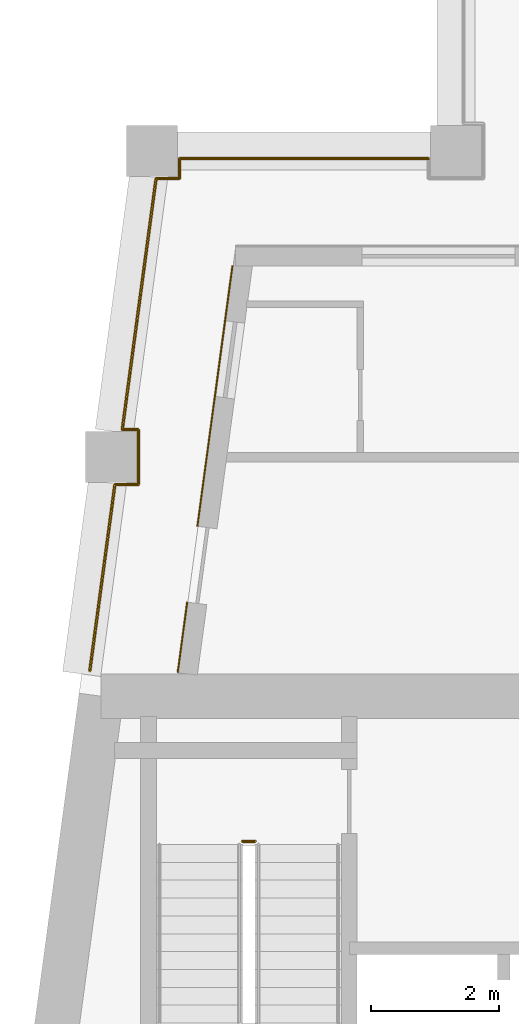
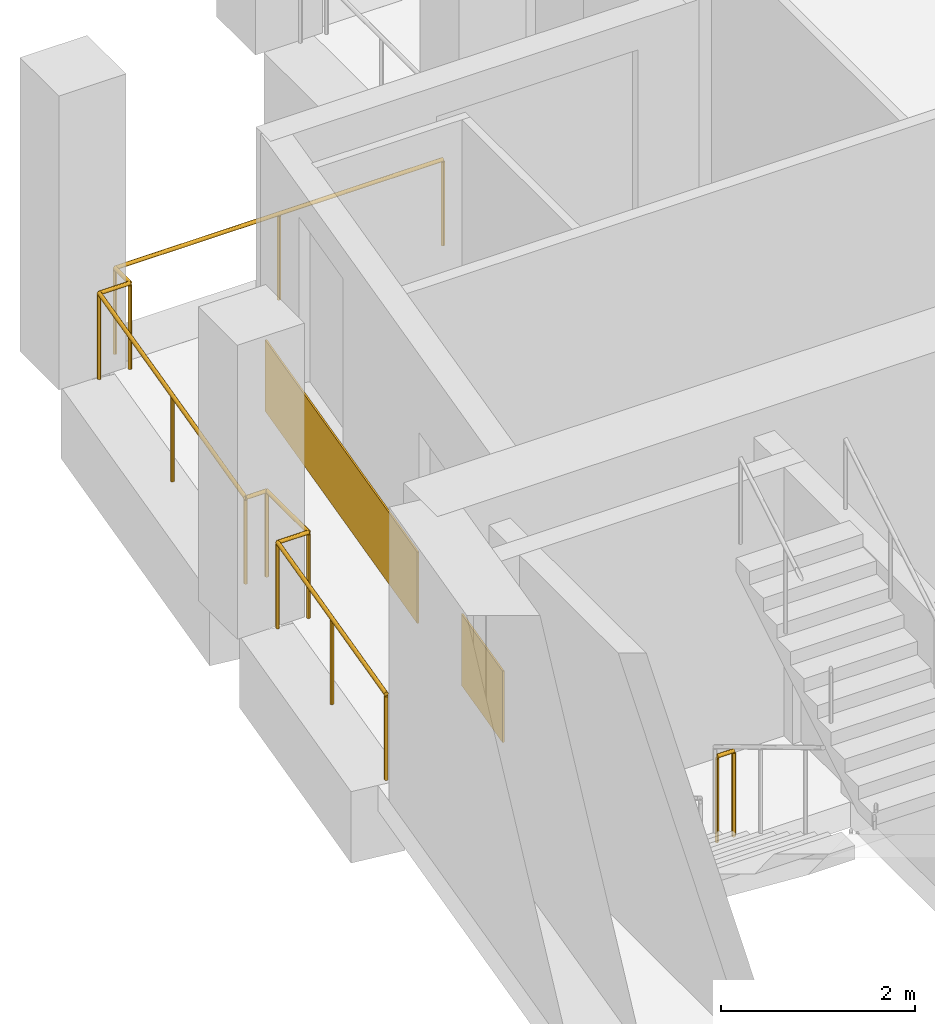
# One storey, part 9 of 12: 2 coverings, 2 railings.
"""IFC4 building model written with IfcOpenShell, lengths in metres."""

from ifc_helpers import new_model, si_unit, direction, frame, origin, origin_2d, place, context, subcontext, project, spatial, rectangle, circle, extrude, material, layer, layer_set, type_object, element, save


model = new_model("IFC4")

# Units and contexts
model_context = context("Model", 3, precision=1e-05, world=origin(), true_north=direction((0.0, 1.0)))
body_context = subcontext(model_context, "Body", "Model", "MODEL_VIEW")
ifc_project = project(units=[si_unit("LENGTHUNIT", "METRE"), si_unit("AREAUNIT", "SQUARE_METRE"), si_unit("VOLUMEUNIT", "CUBIC_METRE"), si_unit("PLANEANGLEUNIT", "RADIAN"), si_unit("MASSUNIT", "GRAM", prefix="KILO")], contexts=[model_context])

# Site, building, storey
site_placement = place(None, origin())
site = spatial("IfcSite", under=ifc_project, at=site_placement, CompositionType="ELEMENT")
building_placement = place(site_placement, origin())
building = spatial("IfcBuilding", under=site, at=building_placement, Name="Candeia Pilgrim Tower and Theatre", CompositionType="ELEMENT")
storey_placement = place(building_placement, frame((0.0, 0.0, 281.199951171875)))
storey = spatial("IfcBuildingStorey", under=building, at=storey_placement, Name="L68", CompositionType="ELEMENT", Elevation=281.199951171875)

# Railing
ifc_material_1 = material(Name="Stainless steel balustrade", Category="steel")
railing_type_1 = type_object("IfcRailingType", Name="G1 loggia guard 1100", PredefinedType="GUARDRAIL", material=ifc_material_1)
railing_1_placement = place(storey_placement, frame((88.758544921875, 132.449951171875, 0.0)))
element("IfcRailing", 1, at=railing_1_placement, inside=storey, type_object=railing_type_1, Name="Guard L68.5", PredefinedType="GUARDRAIL", context=body_context, shape_type="SweptSolid", body=[
    extrude(circle(Radius=0.02392578125, at=origin_2d()), frame((0.0, 0.0, 1.076171875), z_axis=(0.133401056725, 0.991062136329, 0.0), x_axis=(-0.991062136329, 0.133401056725, 0.0)), (0.0, 0.0, 1.0), 2.946533203125),
    extrude(circle(Radius=0.02392578125, at=origin_2d()), frame((0.39306640625, 2.920166015625, 1.076171875), z_axis=(1.0, 0.0, 0.0), x_axis=(0.0, 1.0, 0.0)), (0.0, 0.0, 1.0), 0.366943359375),
    extrude(circle(Radius=0.02392578125, at=origin_2d()), frame((0.760009765625, 2.920166015625, 1.076171875), z_axis=(0.0, 1.0, 0.0), x_axis=(-1.0, 0.0, 0.0)), (0.0, 0.0, 1.0), 0.85986328125),
    extrude(circle(Radius=0.02392578125, at=origin_2d()), frame((0.760009765625, 3.780029296875, 1.076171875), z_axis=(-1.0, 0.0, 0.0), x_axis=(0.0, -1.0, 0.0)), (0.0, 0.0, 1.0), 0.251220703125),
    extrude(circle(Radius=0.02392578125, at=origin_2d()), frame((0.5087890625, 3.780029296875, 1.076171875), z_axis=(0.133446811067, 0.99105597653, 0.0), x_axis=(-0.99105597653, 0.133446811067, 0.0)), (0.0, 0.0, 1.0), 3.9755859375),
    extrude(circle(Radius=0.02392578125, at=origin_2d()), frame((1.039306640625, 7.719970703125, 1.076171875), z_axis=(1.0, 0.0, 0.0), x_axis=(0.0, 1.0, 0.0)), (0.0, 0.0, 1.0), 0.36669921875),
    extrude(circle(Radius=0.02392578125, at=origin_2d()), frame((1.406005859375, 7.719970703125, 1.076171875), z_axis=(0.0, 1.0, 0.0), x_axis=(-1.0, 0.0, 0.0)), (0.0, 0.0, 1.0), 0.31005859375),
    extrude(circle(Radius=0.02392578125, at=origin_2d()), frame((1.406005859375, 8.030029296875, 1.076171875), z_axis=(1.0, 0.0, 0.0), x_axis=(0.0, 1.0, 0.0)), (0.0, 0.0, 1.0), 3.905517578125),
    extrude(circle(Radius=0.02099609375, at=origin_2d()), origin(), (0.0, 0.0, 1.0), 1.052001953125),
    extrude(circle(Radius=0.02099609375, at=origin_2d()), frame((0.196533203125, 1.4599609375, 0.0)), (0.0, 0.0, 1.0), 1.052001953125),
    extrude(circle(Radius=0.02099609375, at=origin_2d()), frame((0.39306640625, 2.920166015625, 0.0)), (0.0, 0.0, 1.0), 1.052001953125),
    extrude(circle(Radius=0.02099609375, at=origin_2d()), frame((0.760009765625, 2.920166015625, 0.0)), (0.0, 0.0, 1.0), 1.052001953125),
    extrude(circle(Radius=0.02099609375, at=origin_2d()), frame((0.760009765625, 3.780029296875, 0.0)), (0.0, 0.0, 1.0), 1.052001953125),
    extrude(circle(Radius=0.02099609375, at=origin_2d()), frame((0.5087890625, 3.780029296875, 0.0)), (0.0, 0.0, 1.0), 1.052001953125),
    extrude(circle(Radius=0.02099609375, at=origin_2d()), frame((0.77392578125, 5.75, 0.0)), (0.0, 0.0, 1.0), 1.052001953125),
    extrude(circle(Radius=0.02099609375, at=origin_2d()), frame((1.039306640625, 7.719970703125, 0.0)), (0.0, 0.0, 1.0), 1.052001953125),
    extrude(circle(Radius=0.02099609375, at=origin_2d()), frame((1.406005859375, 7.719970703125, 0.0)), (0.0, 0.0, 1.0), 1.052001953125),
    extrude(circle(Radius=0.02099609375, at=origin_2d()), frame((1.406005859375, 8.030029296875, 0.0)), (0.0, 0.0, 1.0), 1.052001953125),
    extrude(circle(Radius=0.02099609375, at=origin_2d()), frame((3.35888671875, 8.030029296875, 0.0)), (0.0, 0.0, 1.0), 1.052001953125),
    extrude(circle(Radius=0.02099609375, at=origin_2d()), frame((5.3115234375, 8.030029296875, 0.0)), (0.0, 0.0, 1.0), 1.052001953125),
])

# Coverings
ifc_material_2 = material(Name="Glazed ceramic tile bottle green")
ifc_layer = layer(ifc_material_2, 0.02001953125)
ifc_layer_set = layer_set([ifc_layer], Name="Glazed ceramic tile bottle green")
covering_type = type_object("IfcCoveringType", Name="Glazed ceramic tile bottle green", PredefinedType="CLADDING", material=ifc_layer_set)
covering_1_placement = place(storey_placement, frame((90.720947265625, 136.759521484375, 0.0), z_axis=(0.0, 0.0, 1.0), x_axis=(-0.133412012145, -0.991060661622, 0.0)))
element("IfcCovering", 2, at=covering_1_placement, inside=storey, type_object=covering_type, Name="Tile cladding bottle green L68", PredefinedType="CLADDING", context=body_context, shape_type="SweptSolid", body=[
    extrude(rectangle(XDim=4.123779296875, YDim=0.02001953125, at=origin_2d()), origin(), (0.0, 0.0, 1.0), 0.89990234375),
])
covering_2_placement = place(storey_placement, frame((90.21142578125, 132.97412109375, 0.0), z_axis=(0.0, 0.0, 1.0), x_axis=(-0.133412012145, -0.991060661622, 0.0)))
element("IfcCovering", 3, at=covering_2_placement, inside=storey, type_object=covering_type, Name="Tile cladding bottle green L68", PredefinedType="CLADDING", context=body_context, shape_type="SweptSolid", body=[
    extrude(rectangle(XDim=1.115234375, YDim=0.02001953125, at=origin_2d()), origin(), (0.0, 0.0, 1.0), 0.89990234375),
])

# Railing
railing_type_2 = type_object("IfcRailingType", Name="RL-GUARD-1100", PredefinedType="GUARDRAIL", material=ifc_material_1)
railing_2_placement = place(storey_placement, frame((91.152099609375, 129.77490234375, 0.0)))
element("IfcRailing", 4, at=railing_2_placement, inside=storey, type_object=railing_type_2, Name="L68 ST2 stair guard 2", PredefinedType="GUARDRAIL", context=body_context, shape_type="SweptSolid", body=[
    extrude(circle(Radius=0.02392578125, at=origin_2d()), frame((0.0, 0.0, 1.076171875), z_axis=(1.0, 0.0, 0.0), x_axis=(0.0, 1.0, 0.0)), (0.0, 0.0, 1.0), 0.199951171875),
    extrude(circle(Radius=0.02099609375, at=origin_2d()), origin(), (0.0, 0.0, 1.0), 1.052001953125),
    extrude(circle(Radius=0.02099609375, at=origin_2d()), frame((0.199951171875, 0.0, 0.0)), (0.0, 0.0, 1.0), 1.052001953125),
])

save(model, "model.ifc")
